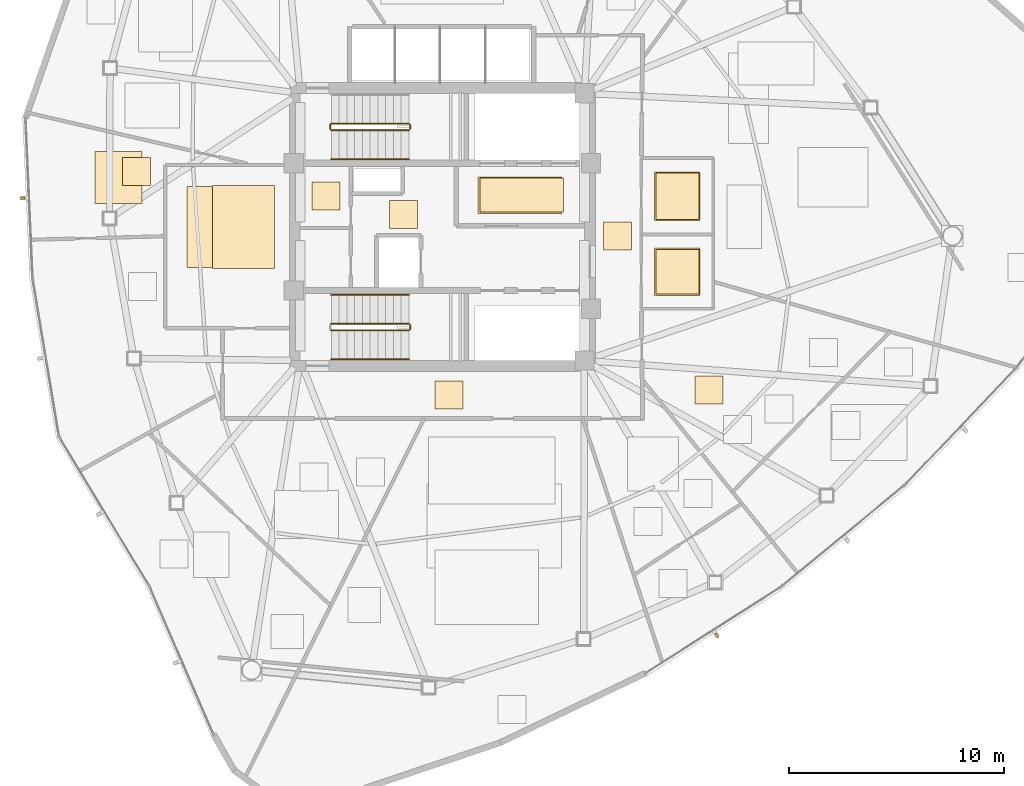
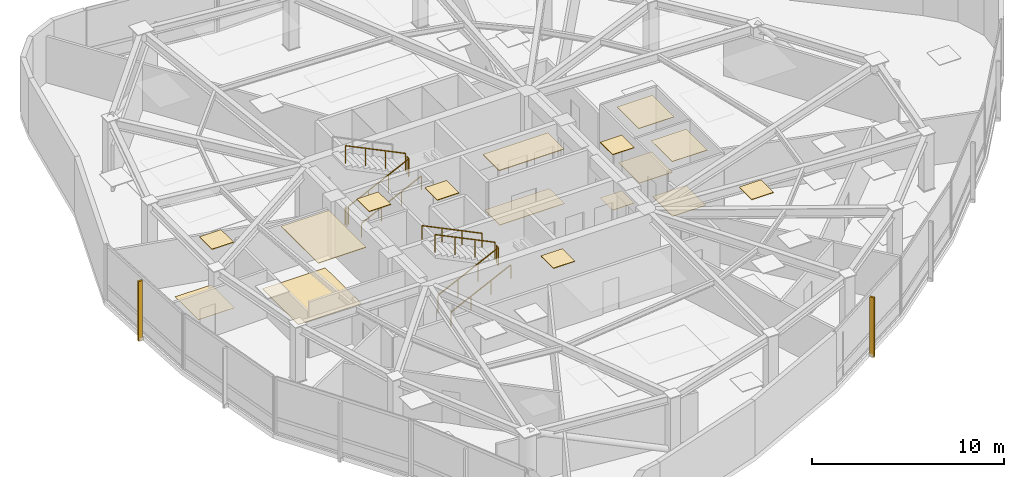
# One storey, part 15 of 17: 16 coverings, 10 railings, 2 shading devices.
"""IFC4 building model written with IfcOpenShell, lengths in metres."""

from ifc_helpers import new_model, si_unit, direction, frame, origin, origin_2d, place, context, subcontext, project, spatial, polyline, rectangle, outline, extrude, source, transform, mapped, material, layer, layer_set, type_object, type_shapes, element, save


model = new_model("IFC4")

# Units and contexts
model_context = context("Model", 3, precision=1e-05, world=origin(), true_north=direction((0.0, 1.0)))
body_context = subcontext(model_context, "Body", "Model", "MODEL_VIEW")
ifc_project = project(units=[si_unit("LENGTHUNIT", "METRE"), si_unit("AREAUNIT", "SQUARE_METRE"), si_unit("VOLUMEUNIT", "CUBIC_METRE"), si_unit("PLANEANGLEUNIT", "RADIAN"), si_unit("MASSUNIT", "GRAM", prefix="KILO")], contexts=[model_context])

# Site, building, storey
site_placement = place(None, origin())
site = spatial("IfcSite", under=ifc_project, at=site_placement, CompositionType="ELEMENT")
building_placement = place(site_placement, origin())
building = spatial("IfcBuilding", under=site, at=building_placement, Name="Tavelor Broadcast Tower", CompositionType="ELEMENT")
storey_placement = place(building_placement, frame((0.0, 0.0, 184.89990234375)))
storey = spatial("IfcBuildingStorey", under=building, at=storey_placement, Name="L44", CompositionType="ELEMENT", Elevation=184.89990234375)

# Coverings
ifc_material_1 = material(Name="Copper-Bronze Anodized Aluminium", Category="aluminium")
ifc_layer_1 = layer(ifc_material_1, 0.044921875)
ifc_layer_set_1 = layer_set([ifc_layer_1], Name="Copper-Bronze Anodized Aluminium")
covering_type_1 = type_object("IfcCoveringType", Name="Anodised Bronze Linear Slatted Concourse Ceiling 45 mm", PredefinedType="CEILING", material=ifc_layer_set_1)
covering_1_placement = place(storey_placement, frame((0.0, 0.0, 3.505126953125)))
element("IfcCovering", 1, at=covering_1_placement, inside=storey, type_object=covering_type_1, Name="L44 Suspended Acoustic Ceiling 1829", PredefinedType="CEILING", context=body_context, shape_type="SweptSolid", body=[
    extrude(outline(polyline([(51.659912109375, 45.6318359375), (55.55712890625, 45.6318359375), (55.55712890625, 47.328125), (51.659912109375, 47.328125), (51.659912109375, 45.6318359375)])), origin(), (0.0, 0.0, 1.0), 0.044921875),
])
covering_2_placement = place(storey_placement, frame((0.0, 0.0, 3.505126953125)))
element("IfcCovering", 2, at=covering_2_placement, inside=storey, type_object=covering_type_1, Name="L44 Suspended Acoustic Ceiling 1830", PredefinedType="CEILING", context=body_context, shape_type="SweptSolid", body=[
    extrude(outline(polyline([(47.5400390625, 44.919921875), (48.840087890625, 44.919921875), (48.840087890625, 46.219970703125), (47.5400390625, 46.219970703125), (47.5400390625, 44.919921875)])), origin(), (0.0, 0.0, 1.0), 0.044921875),
])

# Railings
ifc_material_2 = material(Name="Steel S355", Category="steel")
railing_type_1 = type_object("IfcRailingType", Name="Continuous Brushed Stainless Handrail 900 mm", PredefinedType="HANDRAIL", material=ifc_material_2)
for number, where, name in (
    (3, (44.85009765625, 48.14990234375, 0.175048828125), "L44 ST1 stair handrail 1"),
    (4, (44.85009765625, 38.85009765625, 0.175048828125), "L44 ST2 stair handrail 1"),
):
    element("IfcRailing", number, at=place(storey_placement, frame(where)), inside=storey, type_object=railing_type_1, Name=name, PredefinedType="HANDRAIL", context=body_context, shape_type="SweptSolid", body=[
        extrude(rectangle(XDim=0.048095703125, YDim=0.048095703125, at=origin_2d()), frame((0.0, 0.0, 0.8759765625), z_axis=(0.899360859046, 0.0, 0.437207096483), x_axis=(0.0, 1.0, 0.0)), (0.0, 0.0, 1.0), 4.002685546875),
        extrude(rectangle(XDim=0.0419921875, YDim=0.0419921875, at=origin_2d()), origin(), (0.0, 0.0, 1.0), 0.851806640625),
        extrude(rectangle(XDim=0.0419921875, YDim=0.0419921875, at=origin_2d()), frame((1.199951171875, 0.0, 0.583251953125)), (0.0, 0.0, 1.0), 0.851806640625),
        extrude(rectangle(XDim=0.0419921875, YDim=0.0419921875, at=origin_2d()), frame((2.39990234375, 0.0, 1.166748046875)), (0.0, 0.0, 1.0), 0.851806640625),
        extrude(rectangle(XDim=0.0419921875, YDim=0.0419921875, at=origin_2d()), frame((3.599853515625, 0.0, 1.75)), (0.0, 0.0, 1.0), 0.851806640625),
    ])
railing_1_placement = place(storey_placement, frame((48.449951171875, 41.85009765625, 2.10009765625)))
element("IfcRailing", 5, at=railing_1_placement, inside=storey, type_object=railing_type_1, Name="L44 ST2 stair handrail 2", PredefinedType="HANDRAIL", context=body_context, shape_type="SweptSolid", body=[
    extrude(rectangle(XDim=0.048095703125, YDim=0.048095703125, at=origin_2d()), frame((0.0, 0.0, 0.8759765625), z_axis=(-0.899360859046, 0.0, 0.437207096483), x_axis=(0.0, -1.0, 0.0)), (0.0, 0.0, 1.0), 4.002685546875),
    extrude(rectangle(XDim=0.0419921875, YDim=0.0419921875, at=origin_2d()), origin(), (0.0, 0.0, 1.0), 0.851806640625),
    extrude(rectangle(XDim=0.0419921875, YDim=0.0419921875, at=origin_2d()), frame((-1.199951171875, 0.0, 0.583251953125)), (0.0, 0.0, 1.0), 0.851806640625),
    extrude(rectangle(XDim=0.0419921875, YDim=0.0419921875, at=origin_2d()), frame((-2.39990234375, 0.0, 1.166748046875)), (0.0, 0.0, 1.0), 0.851806640625),
    extrude(rectangle(XDim=0.0419921875, YDim=0.0419921875, at=origin_2d()), frame((-3.599853515625, 0.0, 1.75)), (0.0, 0.0, 1.0), 0.851806640625),
])

# Coverings
ifc_material_3 = material(Name="Architectural Anodized Aluminium", Category="aluminium")
ifc_layer_2 = layer(ifc_material_3, 0.034912109375)
ifc_layer_set_2 = layer_set([ifc_layer_2], Name="Architectural Anodized Aluminium")
covering_type_2 = type_object("IfcCoveringType", Name="Demountable Metal Tile Corridor Ceiling 35 mm", PredefinedType="CEILING", material=ifc_layer_set_2)
covering_3_placement = place(storey_placement, frame((0.0, 0.0, 3.51513671875)))
element("IfcCovering", 6, at=covering_3_placement, inside=storey, type_object=covering_type_2, Name="L44 Suspended Acoustic Ceiling 1832", PredefinedType="CEILING", context=body_context, shape_type="SweptSolid", body=[
    extrude(outline(polyline([(57.489990234375, 43.925048828125), (58.7900390625, 43.925048828125), (58.7900390625, 45.22509765625), (57.489990234375, 45.22509765625), (57.489990234375, 43.925048828125)])), origin(), (0.0, 0.0, 1.0), 0.034912109375),
])
covering_4_placement = place(storey_placement, frame((0.0, 0.0, 3.51513671875)))
element("IfcCovering", 7, at=covering_4_placement, inside=storey, type_object=covering_type_2, Name="L44 Suspended Acoustic Ceiling 1833", PredefinedType="CEILING", context=body_context, shape_type="SweptSolid", body=[
    extrude(outline(polyline([(49.669921875, 36.550048828125), (50.9697265625, 36.550048828125), (50.9697265625, 37.85009765625), (49.669921875, 37.85009765625), (49.669921875, 36.550048828125)])), origin(), (0.0, 0.0, 1.0), 0.034912109375),
])
ifc_material_4 = material(Name="Acoustic Nylon Carpet Tile")
ifc_layer_3 = layer(ifc_material_4, 0.02001953125)
ifc_layer_set_3 = layer_set([ifc_layer_3], Name="Acoustic Nylon Carpet Tile")
covering_type_3 = type_object("IfcCoveringType", Name="Heavy-Duty Acoustic Broadcast Carpet Tile 20 mm", PredefinedType="FLOORING", material=ifc_layer_set_3)
covering_5_placement = place(storey_placement, origin())
element("IfcCovering", 8, at=covering_5_placement, inside=storey, type_object=covering_type_3, Name="L44 Broadcast Floor Finish 0657", PredefinedType="FLOORING", context=body_context, shape_type="SweptSolid", body=[
    extrude(outline(polyline([(57.489990234375, 43.925048828125), (58.7900390625, 43.925048828125), (58.7900390625, 45.22509765625), (57.489990234375, 45.22509765625), (57.489990234375, 43.925048828125)])), origin(), (0.0, 0.0, 1.0), 0.02001953125),
])
covering_6_placement = place(storey_placement, origin())
element("IfcCovering", 9, at=covering_6_placement, inside=storey, type_object=covering_type_3, Name="L44 Broadcast Floor Finish 0658", PredefinedType="FLOORING", context=body_context, shape_type="SweptSolid", body=[
    extrude(outline(polyline([(38.15771484375, 43.12890625), (41.942138671875, 43.12890625), (41.942138671875, 46.87060546875), (38.15771484375, 46.87060546875), (38.15771484375, 43.12890625)])), origin(), (0.0, 0.0, 1.0), 0.02001953125),
])
covering_7_placement = place(storey_placement, origin())
element("IfcCovering", 10, at=covering_7_placement, inside=storey, type_object=covering_type_3, Name="L44 Broadcast Floor Finish 0666", PredefinedType="FLOORING", context=body_context, shape_type="SweptSolid", body=[
    extrude(outline(polyline([(33.874755859375, 46.0908203125), (36.0517578125, 46.0908203125), (36.0517578125, 48.504638671875), (33.874755859375, 48.504638671875), (33.874755859375, 46.0908203125)])), origin(), (0.0, 0.0, 1.0), 0.02001953125),
])
ifc_material_5 = material(Name="Honed Natural Limestone Tile", Category="masonry")
ifc_layer_4 = layer(ifc_material_5, 0.030029296875)
ifc_layer_set_4 = layer_set([ifc_layer_4], Name="Honed Natural Limestone Tile")
covering_type_4 = type_object("IfcCoveringType", Name="Honed Jerusalem Limestone Concourse Flooring 30 mm", PredefinedType="FLOORING", material=ifc_layer_set_4)
covering_8_placement = place(storey_placement, origin())
element("IfcCovering", 11, at=covering_8_placement, inside=storey, type_object=covering_type_4, Name="L44 Broadcast Floor Finish 0656", PredefinedType="FLOORING", context=body_context, shape_type="SweptSolid", body=[
    extrude(outline(polyline([(51.7373046875, 45.689453125), (55.62255859375, 45.689453125), (55.62255859375, 47.2705078125), (51.7373046875, 47.2705078125), (51.7373046875, 45.689453125)])), origin(), (0.0, 0.0, 1.0), 0.030029296875),
])
ifc_layer_5 = layer(ifc_material_3, 0.030029296875)
ifc_layer_set_5 = layer_set([ifc_layer_5], Name="Architectural Anodized Aluminium")
covering_type_5 = type_object("IfcCoveringType", Name="Moisture-Resistant Washroom Ceiling 30 mm", PredefinedType="CEILING", material=ifc_layer_set_5)
covering_9_placement = place(storey_placement, frame((0.0, 0.0, 3.52001953125)))
element("IfcCovering", 12, at=covering_9_placement, inside=storey, type_object=covering_type_5, Name="L44 Suspended Acoustic Ceiling 1835", PredefinedType="CEILING", context=body_context, shape_type="SweptSolid", body=[
    extrude(outline(polyline([(59.85302734375, 41.828369140625), (61.967041015625, 41.828369140625), (61.967041015625, 44.021484375), (59.85302734375, 44.021484375), (59.85302734375, 41.828369140625)])), origin(), (0.0, 0.0, 1.0), 0.030029296875),
])
covering_10_placement = place(storey_placement, frame((0.0, 0.0, 3.52001953125)))
element("IfcCovering", 13, at=covering_10_placement, inside=storey, type_object=covering_type_5, Name="L44 Suspended Acoustic Ceiling 1836", PredefinedType="CEILING", context=body_context, shape_type="SweptSolid", body=[
    extrude(outline(polyline([(59.85302734375, 45.29248046875), (61.967041015625, 45.29248046875), (61.967041015625, 47.5576171875), (59.85302734375, 47.5576171875), (59.85302734375, 45.29248046875)])), origin(), (0.0, 0.0, 1.0), 0.030029296875),
])
ifc_material_6 = material(Name="Slip-Resistant Porcelain Tile")
ifc_layer_6 = layer(ifc_material_6, 0.02490234375)
ifc_layer_set_6 = layer_set([ifc_layer_6], Name="Slip-Resistant Porcelain Tile")
covering_type_6 = type_object("IfcCoveringType", Name="Slip-Resistant Porcelain Wet-Area Floor Tile 25 mm", PredefinedType="FLOORING", material=ifc_layer_set_6)
covering_11_placement = place(storey_placement, origin())
element("IfcCovering", 14, at=covering_11_placement, inside=storey, type_object=covering_type_6, Name="L44 Broadcast Floor Finish 0659", PredefinedType="FLOORING", context=body_context, shape_type="SweptSolid", body=[
    extrude(outline(polyline([(59.91064453125, 41.885986328125), (61.909423828125, 41.885986328125), (61.909423828125, 43.964111328125), (59.91064453125, 43.964111328125), (59.91064453125, 41.885986328125)])), origin(), (0.0, 0.0, 1.0), 0.025146484375),
])
covering_12_placement = place(storey_placement, origin())
element("IfcCovering", 15, at=covering_12_placement, inside=storey, type_object=covering_type_6, Name="L44 Broadcast Floor Finish 0660", PredefinedType="FLOORING", context=body_context, shape_type="SweptSolid", body=[
    extrude(outline(polyline([(59.91064453125, 45.35009765625), (61.909423828125, 45.35009765625), (61.909423828125, 47.5), (59.91064453125, 47.5), (59.91064453125, 45.35009765625)])), origin(), (0.0, 0.0, 1.0), 0.025146484375),
])

# Railings
railing_type_2 = type_object("IfcRailingType", Name="Stairwell Steel Safety Guardrail 1150 mm", PredefinedType="GUARDRAIL", material=ifc_material_2)
railing_2_placement = place(storey_placement, frame((44.85009765625, 49.5, 0.175048828125)))
element("IfcRailing", 16, at=railing_2_placement, inside=storey, type_object=railing_type_2, Name="L44 ST1 stair guard 1", PredefinedType="GUARDRAIL", context=body_context, shape_type="SweptSolid", body=[
    extrude(rectangle(XDim=0.048095703125, YDim=0.048095703125, at=origin_2d()), frame((0.0, 0.0, 1.1259765625), z_axis=(0.899360859046, 0.0, 0.437207096483), x_axis=(0.0, 1.0, 0.0)), (0.0, 0.0, 1.0), 4.002685546875),
    extrude(rectangle(XDim=0.0419921875, YDim=0.0419921875, at=origin_2d()), origin(), (0.0, 0.0, 1.0), 1.101806640625),
    extrude(rectangle(XDim=0.0419921875, YDim=0.0419921875, at=origin_2d()), frame((1.199951171875, 0.0, 0.583251953125)), (0.0, 0.0, 1.0), 1.101806640625),
    extrude(rectangle(XDim=0.0419921875, YDim=0.0419921875, at=origin_2d()), frame((2.39990234375, 0.0, 1.166748046875)), (0.0, 0.0, 1.0), 1.101806640625),
    extrude(rectangle(XDim=0.0419921875, YDim=0.0419921875, at=origin_2d()), frame((3.599853515625, 0.0, 1.75)), (0.0, 0.0, 1.0), 1.101806640625),
])
railing_3_placement = place(storey_placement, frame((48.5, 49.550048828125, 1.925048828125)))
element("IfcRailing", 17, at=railing_3_placement, inside=storey, type_object=railing_type_2, Name="L44 ST1 stair guard 2", PredefinedType="GUARDRAIL", context=body_context, shape_type="SweptSolid", body=[
    extrude(rectangle(XDim=0.048095703125, YDim=0.048095703125, at=origin_2d()), frame((0.0, 0.0, 1.1259765625), z_axis=(0.0, 1.0, 0.0), x_axis=(-1.0, 0.0, 0.0)), (0.0, 0.0, 1.0), 0.199951171875),
    extrude(rectangle(XDim=0.0419921875, YDim=0.0419921875, at=origin_2d()), origin(), (0.0, 0.0, 1.0), 1.101806640625),
    extrude(rectangle(XDim=0.0419921875, YDim=0.0419921875, at=origin_2d()), frame((0.0, 0.199951171875, 0.0)), (0.0, 0.0, 1.0), 1.101806640625),
])
railing_4_placement = place(storey_placement, frame((48.449951171875, 49.800048828125, 2.10009765625)))
element("IfcRailing", 18, at=railing_4_placement, inside=storey, type_object=railing_type_2, Name="L44 ST1 stair guard 3", PredefinedType="GUARDRAIL", context=body_context, shape_type="SweptSolid", body=[
    extrude(rectangle(XDim=0.048095703125, YDim=0.048095703125, at=origin_2d()), frame((0.0, 0.0, 1.1259765625), z_axis=(-0.899360859046, 0.0, 0.437207096483), x_axis=(0.0, -1.0, 0.0)), (0.0, 0.0, 1.0), 4.002685546875),
    extrude(rectangle(XDim=0.0419921875, YDim=0.0419921875, at=origin_2d()), origin(), (0.0, 0.0, 1.0), 1.101806640625),
    extrude(rectangle(XDim=0.0419921875, YDim=0.0419921875, at=origin_2d()), frame((-1.199951171875, 0.0, 0.583251953125)), (0.0, 0.0, 1.0), 1.101806640625),
    extrude(rectangle(XDim=0.0419921875, YDim=0.0419921875, at=origin_2d()), frame((-2.39990234375, 0.0, 1.166748046875)), (0.0, 0.0, 1.0), 1.101806640625),
    extrude(rectangle(XDim=0.0419921875, YDim=0.0419921875, at=origin_2d()), frame((-3.599853515625, 0.0, 1.75)), (0.0, 0.0, 1.0), 1.101806640625),
])
railing_5_placement = place(storey_placement, frame((44.800048828125, 49.550048828125, 0.0)))
element("IfcRailing", 19, at=railing_5_placement, inside=storey, type_object=railing_type_2, Name="L44 ST1 stair guard 4", PredefinedType="GUARDRAIL", context=body_context, shape_type="SweptSolid", body=[
    extrude(rectangle(XDim=0.048095703125, YDim=0.048095703125, at=origin_2d()), frame((0.0, 0.0, 1.1259765625), z_axis=(0.0, 1.0, 0.0), x_axis=(-1.0, 0.0, 0.0)), (0.0, 0.0, 1.0), 0.199951171875),
    extrude(rectangle(XDim=0.0419921875, YDim=0.0419921875, at=origin_2d()), origin(), (0.0, 0.0, 1.0), 1.101806640625),
    extrude(rectangle(XDim=0.0419921875, YDim=0.0419921875, at=origin_2d()), frame((0.0, 0.199951171875, 0.0)), (0.0, 0.0, 1.0), 1.101806640625),
])
railing_6_placement = place(storey_placement, frame((44.85009765625, 40.199951171875, 0.175048828125)))
element("IfcRailing", 20, at=railing_6_placement, inside=storey, type_object=railing_type_2, Name="L44 ST2 stair guard 1", PredefinedType="GUARDRAIL", context=body_context, shape_type="SweptSolid", body=[
    extrude(rectangle(XDim=0.048095703125, YDim=0.048095703125, at=origin_2d()), frame((0.0, 0.0, 1.1259765625), z_axis=(0.899360859046, 0.0, 0.437207096483), x_axis=(0.0, 1.0, 0.0)), (0.0, 0.0, 1.0), 4.002685546875),
    extrude(rectangle(XDim=0.0419921875, YDim=0.0419921875, at=origin_2d()), origin(), (0.0, 0.0, 1.0), 1.101806640625),
    extrude(rectangle(XDim=0.0419921875, YDim=0.0419921875, at=origin_2d()), frame((1.199951171875, 0.0, 0.583251953125)), (0.0, 0.0, 1.0), 1.101806640625),
    extrude(rectangle(XDim=0.0419921875, YDim=0.0419921875, at=origin_2d()), frame((2.39990234375, 0.0, 1.166748046875)), (0.0, 0.0, 1.0), 1.101806640625),
    extrude(rectangle(XDim=0.0419921875, YDim=0.0419921875, at=origin_2d()), frame((3.599853515625, 0.0, 1.75)), (0.0, 0.0, 1.0), 1.101806640625),
])
railing_7_placement = place(storey_placement, frame((48.5, 40.25, 1.925048828125)))
element("IfcRailing", 21, at=railing_7_placement, inside=storey, type_object=railing_type_2, Name="L44 ST2 stair guard 2", PredefinedType="GUARDRAIL", context=body_context, shape_type="SweptSolid", body=[
    extrude(rectangle(XDim=0.048095703125, YDim=0.048095703125, at=origin_2d()), frame((0.0, 0.0, 1.1259765625), z_axis=(0.0, 1.0, 0.0), x_axis=(-1.0, 0.0, 0.0)), (0.0, 0.0, 1.0), 0.199951171875),
    extrude(rectangle(XDim=0.0419921875, YDim=0.0419921875, at=origin_2d()), origin(), (0.0, 0.0, 1.0), 1.101806640625),
    extrude(rectangle(XDim=0.0419921875, YDim=0.0419921875, at=origin_2d()), frame((0.0, 0.199951171875, 0.0)), (0.0, 0.0, 1.0), 1.101806640625),
])
railing_8_placement = place(storey_placement, frame((48.449951171875, 40.5, 2.10009765625)))
element("IfcRailing", 22, at=railing_8_placement, inside=storey, type_object=railing_type_2, Name="L44 ST2 stair guard 3", PredefinedType="GUARDRAIL", context=body_context, shape_type="SweptSolid", body=[
    extrude(rectangle(XDim=0.048095703125, YDim=0.048095703125, at=origin_2d()), frame((0.0, 0.0, 1.1259765625), z_axis=(-0.899360859046, 0.0, 0.437207096483), x_axis=(0.0, -1.0, 0.0)), (0.0, 0.0, 1.0), 4.002685546875),
    extrude(rectangle(XDim=0.0419921875, YDim=0.0419921875, at=origin_2d()), origin(), (0.0, 0.0, 1.0), 1.101806640625),
    extrude(rectangle(XDim=0.0419921875, YDim=0.0419921875, at=origin_2d()), frame((-1.199951171875, 0.0, 0.583251953125)), (0.0, 0.0, 1.0), 1.101806640625),
    extrude(rectangle(XDim=0.0419921875, YDim=0.0419921875, at=origin_2d()), frame((-2.39990234375, 0.0, 1.166748046875)), (0.0, 0.0, 1.0), 1.101806640625),
    extrude(rectangle(XDim=0.0419921875, YDim=0.0419921875, at=origin_2d()), frame((-3.599853515625, 0.0, 1.75)), (0.0, 0.0, 1.0), 1.101806640625),
])

# Coverings
ifc_material_7 = material(Name="Acoustic Mineral Fibre Tile")
ifc_layer_7 = layer(ifc_material_7, 0.0400390625)
ifc_layer_set_7 = layer_set([ifc_layer_7], Name="Acoustic Mineral Fibre Tile")
covering_type_7 = type_object("IfcCoveringType", Name="Suspended Acoustic Mineral-Fibre Office Ceiling 40 mm", PredefinedType="CEILING", material=ifc_layer_set_7)
covering_13_placement = place(storey_placement, frame((0.0, 0.0, 3.510009765625)))
element("IfcCovering", 23, at=covering_13_placement, inside=storey, type_object=covering_type_7, Name="L44 Suspended Acoustic Ceiling 1831", PredefinedType="CEILING", context=body_context, shape_type="SweptSolid", body=[
    extrude(outline(polyline([(43.951416015625, 45.794921875), (45.25146484375, 45.794921875), (45.25146484375, 47.094970703125), (43.951416015625, 47.094970703125), (43.951416015625, 45.794921875)])), origin(), (0.0, 0.0, 1.0), 0.0400390625),
])
covering_14_placement = place(storey_placement, frame((0.0, 0.0, 3.510009765625)))
element("IfcCovering", 24, at=covering_14_placement, inside=storey, type_object=covering_type_7, Name="L44 Suspended Acoustic Ceiling 1834", PredefinedType="CEILING", context=body_context, shape_type="SweptSolid", body=[
    extrude(outline(polyline([(39.321533203125, 43.0712890625), (42.198486328125, 43.0712890625), (42.198486328125, 46.927978515625), (39.321533203125, 46.927978515625), (39.321533203125, 43.0712890625)])), origin(), (0.0, 0.0, 1.0), 0.0400390625),
])
covering_15_placement = place(storey_placement, frame((0.0, 0.0, 3.510009765625)))
element("IfcCovering", 25, at=covering_15_placement, inside=storey, type_object=covering_type_7, Name="L44 Suspended Acoustic Ceiling 1851", PredefinedType="CEILING", context=body_context, shape_type="SweptSolid", body=[
    extrude(outline(polyline([(35.16162109375, 46.916259765625), (36.461669921875, 46.916259765625), (36.461669921875, 48.21630859375), (35.16162109375, 48.21630859375), (35.16162109375, 46.916259765625)])), origin(), (0.0, 0.0, 1.0), 0.0400390625),
])
covering_16_placement = place(storey_placement, frame((0.0, 0.0, 3.510009765625)))
element("IfcCovering", 26, at=covering_16_placement, inside=storey, type_object=covering_type_7, Name="L44 Suspended Acoustic Ceiling 1866", PredefinedType="CEILING", context=body_context, shape_type="SweptSolid", body=[
    extrude(outline(polyline([(61.722900390625, 36.79150390625), (63.02294921875, 36.79150390625), (63.02294921875, 38.091552734375), (61.722900390625, 38.091552734375), (61.722900390625, 36.79150390625)])), origin(), (0.0, 0.0, 1.0), 0.0400390625),
])

# Shading devices
ifc_material_8 = material(Name="Kiln-Fired Glazed Terracotta", Category="masonry")
shading_device_type = type_object("IfcShadingDeviceType", Name="Extruded Terracotta Baguette Sun-Screen 110x240", PredefinedType="JALOUSIE", material=ifc_material_8)
shared_shape = source(origin(), body_context, "Body", "SweptSolid", [
    extrude(rectangle(XDim=0.110107421875, YDim=0.239990234375, at=origin_2d()), origin(), (0.0, 0.0, 1.0), 3.7900390625),
])
type_shapes(shading_device_type, [shared_shape])
for number, where, z_axis, x_axis, name in (
    (27, (30.515869140625, 46.341064453125, -0.260009765625), (0.0, 0.0, 1.0), (0.044142481788, -0.999025245578, 0.0), "L44 Terracotta Baguette Fin 457"),
    (28, (62.746337890625, 26.036865234375, -0.260009765625), (0.0, 0.0, 1.0), (0.84320384149, 0.537593974759, 0.0), "L44 Terracotta Baguette Fin 461"),
):
    element("IfcShadingDevice", number, at=place(storey_placement, frame(where, z_axis=z_axis, x_axis=x_axis)), inside=storey, type_object=shading_device_type, Name=name, PredefinedType="JALOUSIE", context=body_context, shape_type="MappedRepresentation", body=[
        mapped(shared_shape, transform((0.0, 0.0, 0.0), scale=1.0)),
    ])

save(model, "model.ifc")
